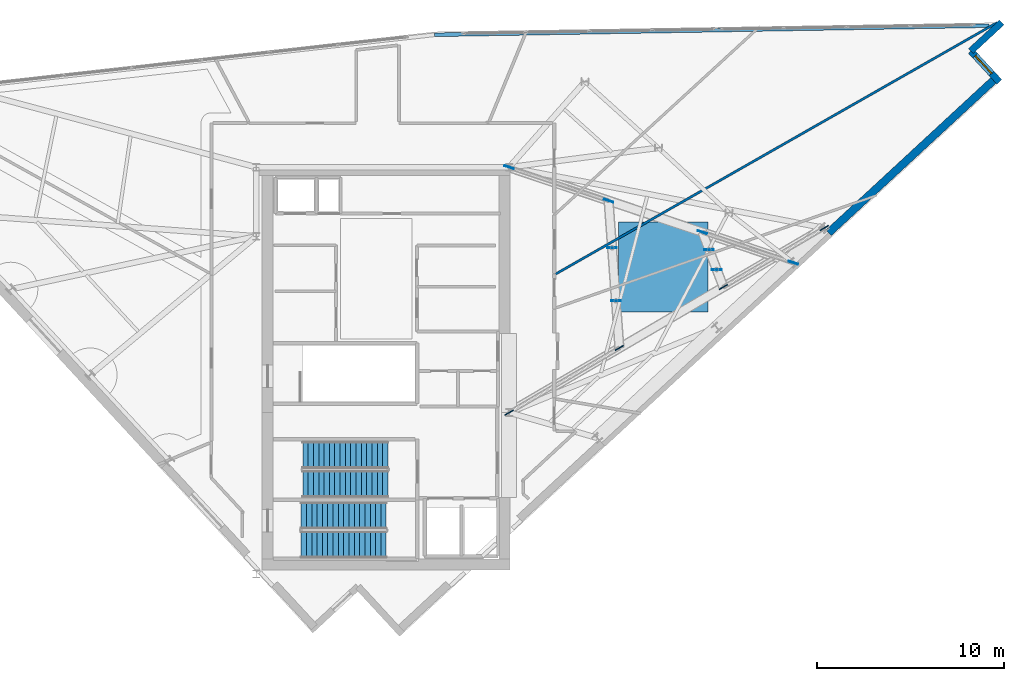
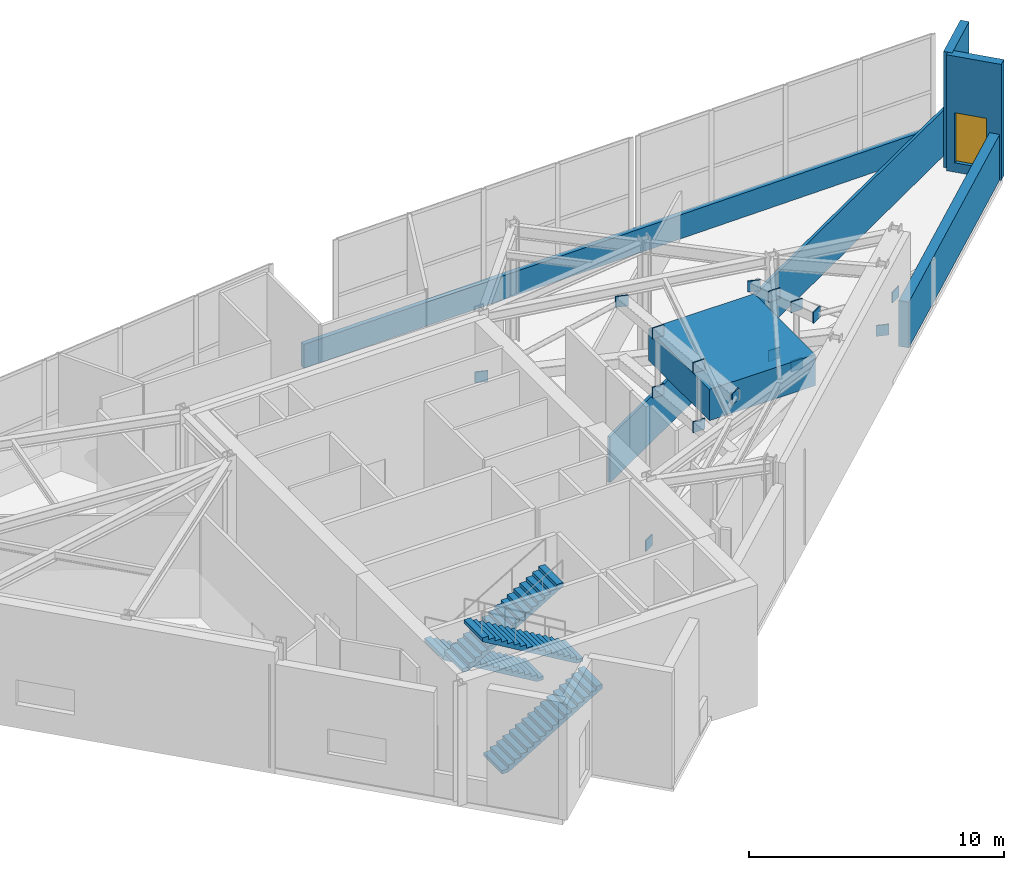
# One storey, part 13 of 15: 17 discrete accessories, 5 walls, 4 stair flights, 1 window, 1 opening, 2 elements without a shape of their own.
"""IFC4 building model written with IfcOpenShell, lengths in metres."""

from ifc_helpers import new_model, si_unit, direction, frame, frame_2d, origin, origin_2d, place, context, subcontext, project, spatial, polyline, rectangle, outline, extrude, material, layer, layer_set, type_object, element, fill, aggregate, save


model = new_model("IFC4")

# Units and contexts
model_context = context("Model", 3, precision=1e-05, world=origin(), true_north=direction((0.0, 1.0)))
body_context = subcontext(model_context, "Body", "Model", "MODEL_VIEW")
ifc_project = project(units=[si_unit("LENGTHUNIT", "METRE"), si_unit("AREAUNIT", "SQUARE_METRE"), si_unit("VOLUMEUNIT", "CUBIC_METRE"), si_unit("PLANEANGLEUNIT", "RADIAN"), si_unit("MASSUNIT", "GRAM", prefix="KILO")], contexts=[model_context])

# Site, building, storey
site_placement = place(None, origin())
site = spatial("IfcSite", under=ifc_project, at=site_placement, CompositionType="ELEMENT")
building_placement = place(site_placement, origin())
building = spatial("IfcBuilding", under=site, at=building_placement, Name="Narakoshi Arena Tower", CompositionType="ELEMENT")
storey_placement = place(building_placement, frame((0.0, 0.0, 292.419921875)))
storey = spatial("IfcBuildingStorey", under=building, at=storey_placement, Name="L80", CompositionType="ELEMENT", Elevation=292.419921875)

# Walls
ifc_material_1 = material(Name="Precast concrete C45/55", Category="concrete")
ifc_layer_1 = layer(ifc_material_1, 0.25)
ifc_layer_set_1 = layer_set([ifc_layer_1], Name="Precast concrete C45/55")
wall_type_1 = type_object("IfcWallType", Name="WL-PARA-250", PredefinedType="PARAPET", material=ifc_layer_set_1)
wall_1_placement = place(storey_placement, frame((111.2705078125, 64.091796875, 0.0), z_axis=(0.0, 0.0, 1.0), x_axis=(-0.999864741935, -0.016446818413, 0.0)))
element("IfcWall", 1, at=wall_1_placement, inside=storey, type_object=wall_type_1, Name="L80 Hypotenuse Sill Upstand Parapet 1-01", PredefinedType="PARAPET", context=body_context, shape_type="SweptSolid", body=[
    extrude(rectangle(XDim=29.73291015625, YDim=0.199951171875, at=frame_2d((14.866455078125, 0.0))), origin(), (0.0, 0.0, 1.0), 1.150146484375),
])
ifc_material_2 = material(Name="Gypsum plasterboard fire-rated partition")
ifc_layer_2 = layer(ifc_material_2, 0.125)
ifc_layer_set_2 = layer_set([ifc_layer_2], Name="Gypsum plasterboard fire-rated partition")
wall_type_2 = type_object("IfcWallType", Name="WL-PART-125", PredefinedType="PARTITIONING", material=ifc_layer_set_2)
wall_2_placement = place(storey_placement, frame((88.023681640625, 50.76611328125, 0.0), z_axis=(0.0, 0.0, 1.0), x_axis=(0.868931723382, 0.494931975226, 0.0)))
element("IfcWall", 2, at=wall_2_placement, inside=storey, type_object=wall_type_2, Name="L80 Inter-Room Partition 03-05", PredefinedType="PARTITIONING", context=body_context, shape_type="SweptSolid", body=[
    extrude(rectangle(XDim=27.26220703125, YDim=0.125, at=frame_2d((13.631103515625, 0.0))), origin(), (0.0, 0.0, 1.0), 2.195068359375),
])
ifc_layer_3 = layer(ifc_material_1, 0.419921875)
ifc_layer_set_3 = layer_set([ifc_layer_3], Name="Precast concrete C45/55")
wall_type_3 = type_object("IfcWallType", Name="WL-POD-420", PredefinedType="SOLIDWALL", material=ifc_layer_set_3)
wall_3_placement = place(storey_placement, frame((102.677490234375, 52.9892578125, 0.0), z_axis=(0.0, 0.0, 1.0), x_axis=(0.734331107219, 0.678791444386, 0.0)))
element("IfcWall", 3, at=wall_3_placement, inside=storey, type_object=wall_type_3, Name="L80 Architectural Concrete Facade Wall LEGA-4", PredefinedType="SOLIDWALL", context=body_context, shape_type="SweptSolid", body=[
    extrude(rectangle(XDim=12.21142578125, YDim=0.419921875, at=frame_2d((6.105712890625, 0.0))), origin(), (0.0, 0.0, 1.0), 2.195068359375),
])

# Wall, opening, window
wall_4_placement = place(storey_placement, frame((111.83154296875, 61.076416015625, 0.0), z_axis=(0.0, 0.0, 1.0), x_axis=(-0.678792531533, 0.734330102294, 0.0)))
wall_4 = element("IfcWall", 4, at=wall_4_placement, inside=storey, type_object=wall_type_3, Name="L80 Re-Entrant Corner Notch Wall NTE-1", PredefinedType="SOLIDWALL", context=body_context, shape_type="SweptSolid", body=[
    extrude(rectangle(XDim=2.255126953125, YDim=0.360107421875, at=frame_2d((1.12744140625, 0.0))), origin(), (0.0, 0.0, 1.0), 5.56005859375),
])
opening_placement = place(wall_4_placement, frame((0.614990234375, 0.0, 0.449951171875)))
opening = element("IfcOpeningElement", 5, at=opening_placement, cuts=wall_4, Name="Opening WN-06", PredefinedType="OPENING", context=body_context, shape_type="SweptSolid", body=[
    extrude(rectangle(XDim=1.300048828125, YDim=2.39990234375, at=frame_2d((0.64990234375, 1.199951171875))), frame((0.0, 0.18994140625, 0.0), z_axis=(0.0, -1.0, 0.0), x_axis=(1.0, 0.0, 0.0)), (0.0, 0.0, 1.0), 0.380126953125),
])
ifc_material_3 = material(Name="Bronze-tinted low-E laminated glass", Category="glass")
window_type = type_object("IfcWindowType", Name="WIN-NTC-16x24", PartitioningType="SINGLE_PANEL", PredefinedType="WINDOW", material=ifc_material_3)
window_placement = place(opening_placement, origin())
window = element("IfcWindow", 6, at=window_placement, inside=storey, type_object=window_type, Name="L80 Corner Notch Window NTE", OverallHeight=2.39990234375, OverallWidth=1.300048828125, PartitioningType="SINGLE_PANEL", PredefinedType="WINDOW", context=body_context, shape_type="SweptSolid", body=[
    extrude(rectangle(XDim=1.300048828125, YDim=2.39990234375, at=frame_2d((0.64990234375, 1.199951171875))), frame((0.0, 0.030029296875, 0.0), z_axis=(0.0, -1.0, 0.0), x_axis=(1.0, 0.0, 0.0)), (0.0, 0.0, 1.0), 0.06005859375),
])
fill(opening, window)

# Wall
wall_5_placement = place(storey_placement, frame((110.30078125, 62.732421875, 0.0), z_axis=(0.0, 0.0, 1.0), x_axis=(0.734330102294, 0.678792531533, 0.0)))
element("IfcWall", 7, at=wall_5_placement, inside=storey, type_object=wall_type_3, Name="L80 Re-Entrant Corner Notch Wall NTE-2", PredefinedType="SOLIDWALL", context=body_context, shape_type="SweptSolid", body=[
    extrude(rectangle(XDim=2.255126953125, YDim=0.360107421875, at=frame_2d((1.12744140625, 0.0))), origin(), (0.0, 0.0, 1.0), 5.56005859375),
])

# Stair, stair flights
ifc_material_4 = material(Name="Concrete C45/55", Category="concrete")
stair_type = type_object("IfcStairType", Name="STR-TMD-576", PredefinedType="TWO_STRAIGHT_RUN_STAIR", material=ifc_material_4)
stair_1_placement = place(storey_placement, origin())
stair_1 = element("IfcStair", 8, at=stair_1_placement, inside=storey, type_object=stair_type, Name="L80 Core Escape Stair ST1", PredefinedType="TWO_STRAIGHT_RUN_STAIR")
stair_flight_type = type_object("IfcStairFlightType", Name="FLT-145-160", PredefinedType="STRAIGHT", material=ifc_material_1)
stair_flight_1_placement = place(storey_placement, frame((74.39990234375, 36.27490234375, 0.0), z_axis=(0.0, 0.0, 1.0), x_axis=(1.0, 0.0, 0.0)))
stair_flight_1 = element("IfcStairFlight", 9, at=stair_flight_1_placement, type_object=stair_flight_type, Name="ST1 flight 1", NumberOfRisers=17, NumberOfTreads=16, PredefinedType="STRAIGHT", RiserHeight=0.169411765, TreadLength=0.285, context=body_context, shape_type="SweptSolid", body=[
    extrude(outline(polyline([(0.0, 0.0), (0.0, 0.16943359375), (0.284912109375, 0.16943359375), (0.284912109375, 0.3388671875), (0.570068359375, 0.3388671875), (0.570068359375, 0.50830078125), (0.85498046875, 0.50830078125), (0.85498046875, 0.677734375), (1.139892578125, 0.677734375), (1.139892578125, 0.84716796875), (1.425048828125, 0.84716796875), (1.425048828125, 1.016357421875), (1.7099609375, 1.016357421875), (1.7099609375, 1.185791015625), (1.9951171875, 1.185791015625), (1.9951171875, 1.355224609375), (2.280029296875, 1.355224609375), (2.280029296875, 1.524658203125), (2.56494140625, 1.524658203125), (2.56494140625, 1.694091796875), (2.85009765625, 1.694091796875), (2.85009765625, 1.863525390625), (3.135009765625, 1.863525390625), (3.135009765625, 2.032958984375), (3.419921875, 2.032958984375), (3.419921875, 2.202392578125), (3.705078125, 2.202392578125), (3.705078125, 2.371826171875), (3.989990234375, 2.371826171875), (3.989990234375, 2.541259765625), (4.27490234375, 2.541259765625), (4.27490234375, 2.710693359375), (4.56005859375, 2.710693359375), (4.56005859375, 2.8798828125), (4.56005859375, 2.5361328125), (0.29345703125, 0.0), (0.0, 0.0)])), frame((0.0, 0.72509765625, 0.0), z_axis=(0.0, -1.0, 0.0), x_axis=(1.0, 0.0, 0.0)), (0.0, 0.0, 1.0), 1.449951171875),
])
stair_flight_2_placement = place(storey_placement, frame((78.9599609375, 37.824951171875, 2.880126953125), z_axis=(0.0, 0.0, 1.0), x_axis=(-1.0, 0.0, 0.0)))
stair_flight_2 = element("IfcStairFlight", 10, at=stair_flight_2_placement, type_object=stair_flight_type, Name="ST1 flight 2", NumberOfRisers=17, NumberOfTreads=16, PredefinedType="STRAIGHT", RiserHeight=0.169411765, TreadLength=0.285, context=body_context, shape_type="SweptSolid", body=[
    extrude(outline(polyline([(0.0, 0.0), (0.0, 0.16943359375), (0.284912109375, 0.16943359375), (0.284912109375, 0.3388671875), (0.570068359375, 0.3388671875), (0.570068359375, 0.50830078125), (0.85498046875, 0.50830078125), (0.85498046875, 0.677734375), (1.139892578125, 0.677734375), (1.139892578125, 0.84716796875), (1.425048828125, 0.84716796875), (1.425048828125, 1.016357421875), (1.7099609375, 1.016357421875), (1.7099609375, 1.185791015625), (1.9951171875, 1.185791015625), (1.9951171875, 1.355224609375), (2.280029296875, 1.355224609375), (2.280029296875, 1.524658203125), (2.56494140625, 1.524658203125), (2.56494140625, 1.694091796875), (2.85009765625, 1.694091796875), (2.85009765625, 1.863525390625), (3.135009765625, 1.863525390625), (3.135009765625, 2.032958984375), (3.419921875, 2.032958984375), (3.419921875, 2.202392578125), (3.705078125, 2.202392578125), (3.705078125, 2.371826171875), (3.989990234375, 2.371826171875), (3.989990234375, 2.541259765625), (4.27490234375, 2.541259765625), (4.27490234375, 2.710693359375), (4.56005859375, 2.710693359375), (4.56005859375, 2.8798828125), (4.56005859375, 2.5361328125), (0.29345703125, 0.0), (0.0, 0.0)])), frame((0.0, 0.72509765625, 0.0), z_axis=(0.0, -1.0, 0.0), x_axis=(1.0, 0.0, 0.0)), (0.0, 0.0, 1.0), 1.449951171875),
])
aggregate(stair_1, [stair_flight_1, stair_flight_2])

stair_2_placement = place(storey_placement, origin())
stair_2 = element("IfcStair", 11, at=stair_2_placement, inside=storey, type_object=stair_type, Name="L80 Core Escape Stair ST2", PredefinedType="TWO_STRAIGHT_RUN_STAIR")
stair_flight_3_placement = place(storey_placement, frame((79.050048828125, 41.074951171875, 0.0), z_axis=(0.0, 0.0, 1.0), x_axis=(-1.0, 0.0, 0.0)))
stair_flight_3 = element("IfcStairFlight", 12, at=stair_flight_3_placement, type_object=stair_flight_type, Name="ST2 flight 1", NumberOfRisers=17, NumberOfTreads=16, PredefinedType="STRAIGHT", RiserHeight=0.169411765, TreadLength=0.285, context=body_context, shape_type="SweptSolid", body=[
    extrude(outline(polyline([(0.0, 0.0), (0.0, 0.16943359375), (0.284912109375, 0.16943359375), (0.284912109375, 0.3388671875), (0.570068359375, 0.3388671875), (0.570068359375, 0.50830078125), (0.85498046875, 0.50830078125), (0.85498046875, 0.677734375), (1.139892578125, 0.677734375), (1.139892578125, 0.84716796875), (1.425048828125, 0.84716796875), (1.425048828125, 1.016357421875), (1.7099609375, 1.016357421875), (1.7099609375, 1.185791015625), (1.9951171875, 1.185791015625), (1.9951171875, 1.355224609375), (2.280029296875, 1.355224609375), (2.280029296875, 1.524658203125), (2.56494140625, 1.524658203125), (2.56494140625, 1.694091796875), (2.85009765625, 1.694091796875), (2.85009765625, 1.863525390625), (3.135009765625, 1.863525390625), (3.135009765625, 2.032958984375), (3.419921875, 2.032958984375), (3.419921875, 2.202392578125), (3.705078125, 2.202392578125), (3.705078125, 2.371826171875), (3.989990234375, 2.371826171875), (3.989990234375, 2.541259765625), (4.27490234375, 2.541259765625), (4.27490234375, 2.710693359375), (4.56005859375, 2.710693359375), (4.56005859375, 2.8798828125), (4.56005859375, 2.5361328125), (0.29345703125, 0.0), (0.0, 0.0)])), frame((0.0, 0.72509765625, 0.0), z_axis=(0.0, -1.0, 0.0), x_axis=(1.0, 0.0, 0.0)), (0.0, 0.0, 1.0), 1.449951171875),
])
stair_flight_4_placement = place(storey_placement, frame((74.489990234375, 39.52490234375, 2.880126953125), z_axis=(0.0, 0.0, 1.0), x_axis=(1.0, 0.0, 0.0)))
stair_flight_4 = element("IfcStairFlight", 13, at=stair_flight_4_placement, type_object=stair_flight_type, Name="ST2 flight 2", NumberOfRisers=17, NumberOfTreads=16, PredefinedType="STRAIGHT", RiserHeight=0.169411765, TreadLength=0.285, context=body_context, shape_type="SweptSolid", body=[
    extrude(outline(polyline([(0.0, 0.0), (0.0, 0.16943359375), (0.284912109375, 0.16943359375), (0.284912109375, 0.3388671875), (0.570068359375, 0.3388671875), (0.570068359375, 0.50830078125), (0.85498046875, 0.50830078125), (0.85498046875, 0.677734375), (1.139892578125, 0.677734375), (1.139892578125, 0.84716796875), (1.425048828125, 0.84716796875), (1.425048828125, 1.016357421875), (1.7099609375, 1.016357421875), (1.7099609375, 1.185791015625), (1.9951171875, 1.185791015625), (1.9951171875, 1.355224609375), (2.280029296875, 1.355224609375), (2.280029296875, 1.524658203125), (2.56494140625, 1.524658203125), (2.56494140625, 1.694091796875), (2.85009765625, 1.694091796875), (2.85009765625, 1.863525390625), (3.135009765625, 1.863525390625), (3.135009765625, 2.032958984375), (3.419921875, 2.032958984375), (3.419921875, 2.202392578125), (3.705078125, 2.202392578125), (3.705078125, 2.371826171875), (3.989990234375, 2.371826171875), (3.989990234375, 2.541259765625), (4.27490234375, 2.541259765625), (4.27490234375, 2.710693359375), (4.56005859375, 2.710693359375), (4.56005859375, 2.8798828125), (4.56005859375, 2.5361328125), (0.29345703125, 0.0), (0.0, 0.0)])), frame((0.0, 0.72509765625, 0.0), z_axis=(0.0, -1.0, 0.0), x_axis=(1.0, 0.0, 0.0)), (0.0, 0.0, 1.0), 1.449951171875),
])
aggregate(stair_2, [stair_flight_3, stair_flight_4])

# Discrete accessories
ifc_material_5 = material(Name="Structural steel S460ML", Category="steel")
discrete_accessory_type_1 = type_object("IfcDiscreteAccessoryType", Name="ACC-GUS-PLT", PredefinedType="BRACKET", material=ifc_material_5)
for number, where, z_axis, x_axis, name in (
    (14, (91.276611328125, 49.339111328125, 2.199951171875), (0.0, 0.0, 1.0), (1.0, 0.0, 0.0), "L80 Brace Node Gusset Plate 0178"),
    (15, (91.276611328125, 49.339111328125, 5.0400390625), (0.0, 0.0, 1.0), (1.0, 0.0, 0.0), "L80 Brace Node Gusset Plate 0179"),
    (16, (91.067138671875, 52.181396484375, 2.199951171875), (0.0, 0.0, 1.0), (1.0, 0.0, 0.0), "L80 Brace Node Gusset Plate 0180"),
    (17, (91.067138671875, 52.181396484375, 5.0400390625), (0.0, 0.0, 1.0), (1.0, 0.0, 0.0), "L80 Brace Node Gusset Plate 0181"),
    (18, (96.67578125, 51.01806640625, 2.199951171875), (0.0, 0.0, 1.0), (1.0, 0.0, 0.0), "L80 Brace Node Gusset Plate 0182"),
    (19, (96.67578125, 51.01806640625, 5.0400390625), (0.0, 0.0, 1.0), (1.0, 0.0, 0.0), "L80 Brace Node Gusset Plate 0183"),
    (20, (96.269287109375, 52.076904296875, 2.199951171875), (0.0, 0.0, 1.0), (1.0, 0.0, 0.0), "L80 Brace Node Gusset Plate 0184"),
    (21, (96.269287109375, 52.076904296875, 5.0400390625), (0.0, 0.0, 1.0), (1.0, 0.0, 0.0), "L80 Brace Node Gusset Plate 0185"),
    (22, (85.550048828125, 43.35009765625, 2.199951171875), (0.0, 0.0, 1.0), (0.862954938496, 0.505280886365, 0.0), "L80 Brace Node Gusset Plate 0186"),
    (23, (91.462646484375, 46.8125, 5.0400390625), (0.0, 0.0, 1.0), (0.862954938496, 0.505280886365, 0.0), "L80 Brace Node Gusset Plate 0187"),
    (24, (85.550048828125, 56.5, 2.199951171875), (0.0, 0.0, 1.0), (-0.947879690069, 0.318628456287, 0.0), "L80 Brace Node Gusset Plate 0188"),
    (25, (90.881103515625, 54.7080078125, 5.0400390625), (0.0, 0.0, 1.0), (-0.947879690069, 0.318628456287, 0.0), "L80 Brace Node Gusset Plate 0189"),
    (26, (102.443359375, 53.242431640625, 2.199951171875), (0.0, 0.0, 1.0), (0.862954938496, 0.505280886365, 0.0), "L80 Brace Node Gusset Plate 0190"),
    (27, (97.03759765625, 50.076904296875, 5.0400390625), (0.0, 0.0, 1.0), (0.862954938496, 0.505280886365, 0.0), "L80 Brace Node Gusset Plate 0191"),
    (28, (100.78173828125, 51.379638671875, 2.199951171875), (0.0, 0.0, 1.0), (-0.947879690069, 0.318628456287, 0.0), "L80 Brace Node Gusset Plate 0192"),
    (29, (95.90771484375, 53.01806640625, 5.0400390625), (0.0, 0.0, 1.0), (-0.947879690069, 0.318628456287, 0.0), "L80 Brace Node Gusset Plate 0193"),
):
    element("IfcDiscreteAccessory", number, at=place(storey_placement, frame(where, z_axis=z_axis, x_axis=x_axis)), inside=storey, type_object=discrete_accessory_type_1, Name=name, PredefinedType="BRACKET", context=body_context, shape_type="SweptSolid", body=[
        extrude(rectangle(XDim=0.52001953125, YDim=0.050048828125, at=origin_2d()), origin(), (0.0, 0.0, 1.0), 0.52001953125),
    ])
discrete_accessory_type_2 = type_object("IfcDiscreteAccessoryType", Name="ACC-TMD-MASS", PredefinedType="USERDEFINED", material=ifc_material_5)
discrete_accessory_placement = place(storey_placement, frame((93.822265625, 51.15380859375, 2.97998046875), z_axis=(0.0, 0.0, 1.0), x_axis=(1.0, 0.0, 0.0)))
element("IfcDiscreteAccessory", 30, at=discrete_accessory_placement, inside=storey, type_object=discrete_accessory_type_2, Name="L80 550-Tonne Steel Pendulum Tuned Mass Damper", ObjectType="DAMPER MASS", PredefinedType="USERDEFINED", context=body_context, shape_type="SweptSolid", body=[
    extrude(rectangle(XDim=4.800048828125, YDim=4.800048828125, at=origin_2d()), origin(), (0.0, 0.0, 1.0), 1.5),
])

save(model, "model.ifc")
